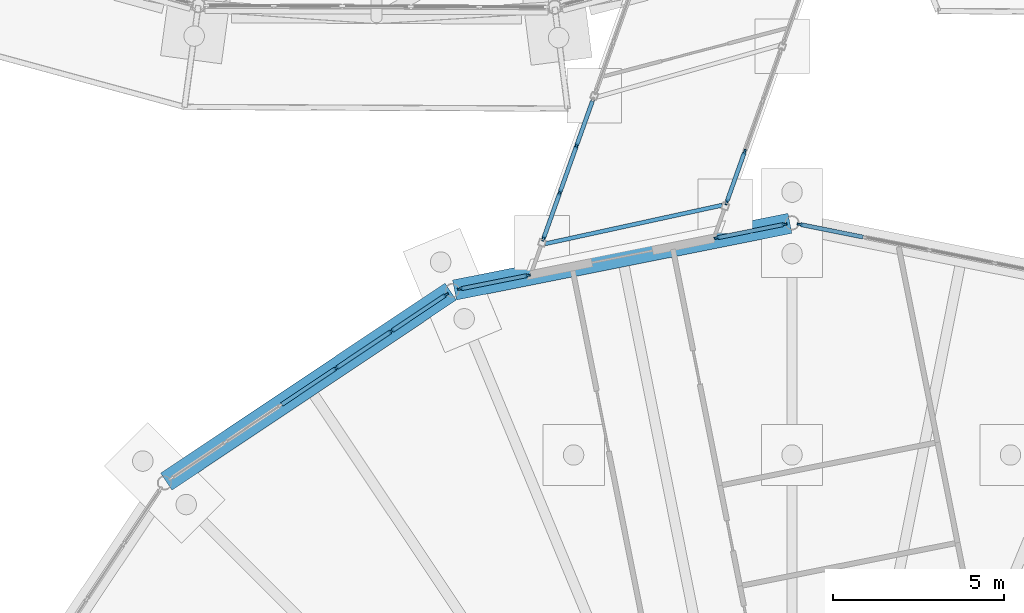
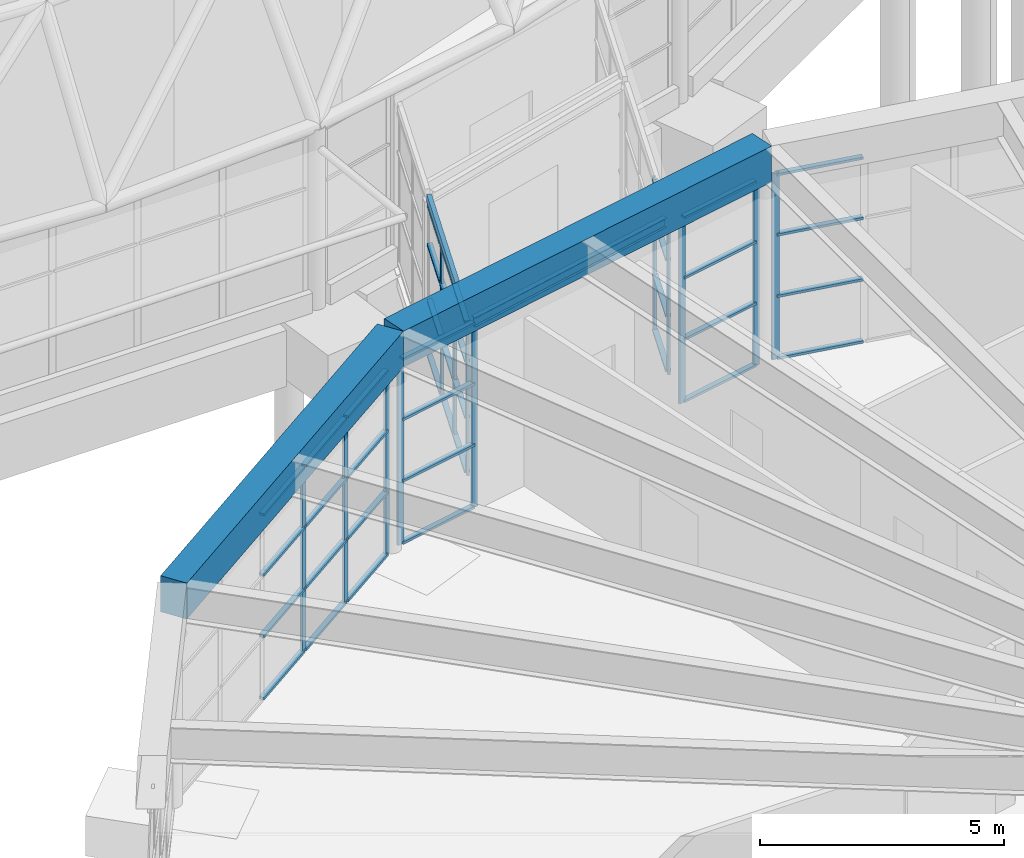
# One storey, part 95 of 226: 53 members, 4 beams, 6 elements without a shape of their own.
"""IFC4 building model written with IfcOpenShell, lengths in metres."""

from ifc_helpers import new_model, si_unit, direction, frame, origin, origin_2d, place, context, subcontext, project, spatial, rectangle, hollow_rectangle, i_section, extrude, material, material_profile, profile_set, type_object, element, aggregate, save


model = new_model("IFC4")

# Units and contexts
model_context = context("Model", 3, precision=1e-05, world=origin(), true_north=direction((0.0, 1.0)))
body_context = subcontext(model_context, "Body", "Model", "MODEL_VIEW")
ifc_project = project(units=[si_unit("LENGTHUNIT", "METRE"), si_unit("AREAUNIT", "SQUARE_METRE"), si_unit("VOLUMEUNIT", "CUBIC_METRE"), si_unit("PLANEANGLEUNIT", "RADIAN"), si_unit("MASSUNIT", "GRAM", prefix="KILO")], contexts=[model_context])

# Site, building, storey
site_placement = place(None, origin())
site = spatial("IfcSite", under=ifc_project, at=site_placement, CompositionType="ELEMENT")
building_placement = place(site_placement, origin())
building = spatial("IfcBuilding", under=site, at=building_placement, Name="Ceibo Conservatory and Research Tower", CompositionType="ELEMENT")
storey_placement = place(building_placement, origin())
storey = spatial("IfcBuildingStorey", under=building, at=storey_placement, Name="L00", CompositionType="ELEMENT", Elevation=0.0)

# Curtain wall, members
ifc_material_1 = material(Name="Aluminium and glass", Category="aluminium")
curtain_wall_type_1 = type_object("IfcCurtainWallType", Name="Gallery curtain wall", PredefinedType="NOTDEFINED", material=ifc_material_1)
curtain_wall_1_placement = place(storey_placement, origin())
curtain_wall_1 = element("IfcCurtainWall", 1, at=curtain_wall_1_placement, inside=storey, type_object=curtain_wall_type_1, Name="Gallery curtain wall A-VC-CWN02", PredefinedType="NOTDEFINED")
ifc_material_2 = material(Name="Aluminium", Category="aluminium")
ifc_material_profile_1 = material_profile(ifc_material_2, rectangle(XDim=0.06005859375, YDim=0.159912109375, at=origin_2d()), Name="AL 60x160")
ifc_profile_set_1 = profile_set([ifc_material_profile_1], Name="Aluminium")
member_type_1 = type_object("IfcMemberType", Name="Gallery mullion 60x160", PredefinedType="MULLION", material=ifc_profile_set_1)
member_1_placement = place(storey_placement, frame((166.6103515625, 64.0791015625, 0.0), z_axis=(0.0, 0.0, 1.0), x_axis=(0.942203896378, -0.335040023954, 0.0)))
member_1 = element("IfcMember", 2, at=member_1_placement, type_object=member_type_1, Name="A-VC-CWN02 mullion 3", PredefinedType="MULLION", context=body_context, shape_type="SweptSolid", body=[
    extrude(rectangle(XDim=0.06005859375, YDim=0.159912109375, at=origin_2d()), origin(), (0.0, 0.0, 1.0), 3.800048828125),
])
member_2_placement = place(storey_placement, frame((166.087646484375, 62.60888671875, 0.0), z_axis=(0.0, 0.0, 1.0), x_axis=(0.942203896378, -0.335040023954, 0.0)))
member_2 = element("IfcMember", 3, at=member_2_placement, type_object=member_type_1, Name="A-VC-CWN02 mullion 4", PredefinedType="MULLION", context=body_context, shape_type="SweptSolid", body=[
    extrude(rectangle(XDim=0.06005859375, YDim=0.159912109375, at=origin_2d()), origin(), (0.0, 0.0, 1.0), 3.800048828125),
])

curtain_wall_2_placement = place(storey_placement, origin())
curtain_wall_2 = element("IfcCurtainWall", 4, at=curtain_wall_2_placement, inside=storey, type_object=curtain_wall_type_1, Name="Gallery curtain wall A-VC-CWS02", PredefinedType="NOTDEFINED")
member_3_placement = place(storey_placement, frame((161.684814453125, 64.255615234375, 0.0), z_axis=(0.0, 0.0, 1.0), x_axis=(0.942203896378, -0.335040023954, 0.0)))
member_3 = element("IfcMember", 5, at=member_3_placement, type_object=member_type_1, Name="A-VC-CWS02 mullion 2", PredefinedType="MULLION", context=body_context, shape_type="SweptSolid", body=[
    extrude(rectangle(XDim=0.06005859375, YDim=0.159912109375, at=origin_2d()), origin(), (0.0, 0.0, 1.0), 3.800048828125),
])
member_4_placement = place(storey_placement, frame((161.197265625, 62.88427734375, 0.0), z_axis=(0.0, 0.0, 1.0), x_axis=(0.942203896378, -0.335040023954, 0.0)))
member_4 = element("IfcMember", 6, at=member_4_placement, type_object=member_type_1, Name="A-VC-CWS02 mullion 3", PredefinedType="MULLION", context=body_context, shape_type="SweptSolid", body=[
    extrude(rectangle(XDim=0.06005859375, YDim=0.159912109375, at=origin_2d()), origin(), (0.0, 0.0, 1.0), 3.800048828125),
])
member_5_placement = place(storey_placement, frame((160.7197265625, 61.541259765625, 0.0), z_axis=(0.0, 0.0, 1.0), x_axis=(0.942203896378, -0.335040023954, 0.0)))
member_5 = element("IfcMember", 7, at=member_5_placement, type_object=member_type_1, Name="A-VC-CWS02 mullion 4", PredefinedType="MULLION", context=body_context, shape_type="SweptSolid", body=[
    extrude(rectangle(XDim=0.06005859375, YDim=0.159912109375, at=origin_2d()), origin(), (0.0, 0.0, 1.0), 3.800048828125),
])

# Member
ifc_material_profile_2 = material_profile(ifc_material_2, rectangle(XDim=0.1201171875, YDim=0.06005859375, at=origin_2d()), Name="AL 60x120")
ifc_profile_set_2 = profile_set([ifc_material_profile_2], Name="Aluminium")
member_type_2 = type_object("IfcMemberType", Name="Gallery transom 60x120", PredefinedType="USERDEFINED", material=ifc_profile_set_2)
member_6_placement = place(storey_placement, frame((166.600341796875, 64.05078125, 0.030029296875), z_axis=(-0.335057822274, -0.94219756725, 0.0), x_axis=(0.94219756725, -0.335057822274, 0.0)))
member_6 = element("IfcMember", 8, at=member_6_placement, type_object=member_type_2, Name="A-VC-CWN02 transom 3.1", ObjectType="TRANSOM", PredefinedType="USERDEFINED", context=body_context, shape_type="SweptSolid", body=[
    extrude(rectangle(XDim=0.1201171875, YDim=0.06005859375, at=origin_2d()), origin(), (0.0, 0.0, 1.0), 1.500244140625),
])

member_7_placement = place(storey_placement, frame((166.600341796875, 64.05078125, 1.39990234375), z_axis=(-0.335057822274, -0.94219756725, 0.0), x_axis=(0.94219756725, -0.335057822274, 0.0)))
member_7 = element("IfcMember", 9, at=member_7_placement, type_object=member_type_2, Name="A-VC-CWN02 transom 3.2", ObjectType="TRANSOM", PredefinedType="USERDEFINED", context=body_context, shape_type="SweptSolid", body=[
    extrude(rectangle(XDim=0.1201171875, YDim=0.06005859375, at=origin_2d()), origin(), (0.0, 0.0, 1.0), 1.500244140625),
])

member_8_placement = place(storey_placement, frame((166.600341796875, 64.05078125, 2.800048828125), z_axis=(-0.335057822274, -0.94219756725, 0.0), x_axis=(0.94219756725, -0.335057822274, 0.0)))
member_8 = element("IfcMember", 10, at=member_8_placement, type_object=member_type_2, Name="A-VC-CWN02 transom 3.3", ObjectType="TRANSOM", PredefinedType="USERDEFINED", context=body_context, shape_type="SweptSolid", body=[
    extrude(rectangle(XDim=0.1201171875, YDim=0.06005859375, at=origin_2d()), origin(), (0.0, 0.0, 1.0), 1.500244140625),
])

member_9_placement = place(storey_placement, frame((166.600341796875, 64.05078125, 3.77001953125), z_axis=(-0.335057822274, -0.94219756725, 0.0), x_axis=(0.94219756725, -0.335057822274, 0.0)))
member_9 = element("IfcMember", 11, at=member_9_placement, type_object=member_type_2, Name="A-VC-CWN02 transom 3.4", ObjectType="TRANSOM", PredefinedType="USERDEFINED", context=body_context, shape_type="SweptSolid", body=[
    extrude(rectangle(XDim=0.1201171875, YDim=0.06005859375, at=origin_2d()), origin(), (0.0, 0.0, 1.0), 1.500244140625),
])

aggregate(curtain_wall_1, [member_1, member_2, member_6, member_7, member_8, member_9])

member_10_placement = place(storey_placement, frame((162.15234375, 65.5703125, 0.030029296875), z_axis=(-0.334942636148, -0.942238521018, 0.0), x_axis=(0.942238521018, -0.334942636148, 0.0)))
member_10 = element("IfcMember", 12, at=member_10_placement, type_object=member_type_2, Name="A-VC-CWS02 transom 1.1", ObjectType="TRANSOM", PredefinedType="USERDEFINED", context=body_context, shape_type="SweptSolid", body=[
    extrude(rectangle(XDim=0.1201171875, YDim=0.06005859375, at=origin_2d()), origin(), (0.0, 0.0, 1.0), 1.365234375),
])

member_11_placement = place(storey_placement, frame((162.15234375, 65.5703125, 1.39990234375), z_axis=(-0.334942636148, -0.942238521018, 0.0), x_axis=(0.942238521018, -0.334942636148, 0.0)))
member_11 = element("IfcMember", 13, at=member_11_placement, type_object=member_type_2, Name="A-VC-CWS02 transom 1.2", ObjectType="TRANSOM", PredefinedType="USERDEFINED", context=body_context, shape_type="SweptSolid", body=[
    extrude(rectangle(XDim=0.1201171875, YDim=0.06005859375, at=origin_2d()), origin(), (0.0, 0.0, 1.0), 1.365234375),
])

member_12_placement = place(storey_placement, frame((162.15234375, 65.5703125, 2.800048828125), z_axis=(-0.334942636148, -0.942238521018, 0.0), x_axis=(0.942238521018, -0.334942636148, 0.0)))
member_12 = element("IfcMember", 14, at=member_12_placement, type_object=member_type_2, Name="A-VC-CWS02 transom 1.3", ObjectType="TRANSOM", PredefinedType="USERDEFINED", context=body_context, shape_type="SweptSolid", body=[
    extrude(rectangle(XDim=0.1201171875, YDim=0.06005859375, at=origin_2d()), origin(), (0.0, 0.0, 1.0), 1.365234375),
])

member_13_placement = place(storey_placement, frame((162.15234375, 65.5703125, 3.77001953125), z_axis=(-0.334942636148, -0.942238521018, 0.0), x_axis=(0.942238521018, -0.334942636148, 0.0)))
member_13 = element("IfcMember", 15, at=member_13_placement, type_object=member_type_2, Name="A-VC-CWS02 transom 1.4", ObjectType="TRANSOM", PredefinedType="USERDEFINED", context=body_context, shape_type="SweptSolid", body=[
    extrude(rectangle(XDim=0.1201171875, YDim=0.06005859375, at=origin_2d()), origin(), (0.0, 0.0, 1.0), 1.365234375),
])

member_14_placement = place(storey_placement, frame((161.6748046875, 64.227294921875, 0.030029296875), z_axis=(-0.335061443825, -0.942196279372, 0.0), x_axis=(0.942196279372, -0.335061443825, 0.0)))
member_14 = element("IfcMember", 16, at=member_14_placement, type_object=member_type_2, Name="A-VC-CWS02 transom 2.1", ObjectType="TRANSOM", PredefinedType="USERDEFINED", context=body_context, shape_type="SweptSolid", body=[
    extrude(rectangle(XDim=0.1201171875, YDim=0.06005859375, at=origin_2d()), origin(), (0.0, 0.0, 1.0), 1.395263671875),
])

member_15_placement = place(storey_placement, frame((161.6748046875, 64.227294921875, 1.39990234375), z_axis=(-0.335061443825, -0.942196279372, 0.0), x_axis=(0.942196279372, -0.335061443825, 0.0)))
member_15 = element("IfcMember", 17, at=member_15_placement, type_object=member_type_2, Name="A-VC-CWS02 transom 2.2", ObjectType="TRANSOM", PredefinedType="USERDEFINED", context=body_context, shape_type="SweptSolid", body=[
    extrude(rectangle(XDim=0.1201171875, YDim=0.06005859375, at=origin_2d()), origin(), (0.0, 0.0, 1.0), 1.395263671875),
])

member_16_placement = place(storey_placement, frame((161.6748046875, 64.227294921875, 2.800048828125), z_axis=(-0.335061443825, -0.942196279372, 0.0), x_axis=(0.942196279372, -0.335061443825, 0.0)))
member_16 = element("IfcMember", 18, at=member_16_placement, type_object=member_type_2, Name="A-VC-CWS02 transom 2.3", ObjectType="TRANSOM", PredefinedType="USERDEFINED", context=body_context, shape_type="SweptSolid", body=[
    extrude(rectangle(XDim=0.1201171875, YDim=0.06005859375, at=origin_2d()), origin(), (0.0, 0.0, 1.0), 1.395263671875),
])

member_17_placement = place(storey_placement, frame((161.6748046875, 64.227294921875, 3.77001953125), z_axis=(-0.335061443825, -0.942196279372, 0.0), x_axis=(0.942196279372, -0.335061443825, 0.0)))
member_17 = element("IfcMember", 19, at=member_17_placement, type_object=member_type_2, Name="A-VC-CWS02 transom 2.4", ObjectType="TRANSOM", PredefinedType="USERDEFINED", context=body_context, shape_type="SweptSolid", body=[
    extrude(rectangle(XDim=0.1201171875, YDim=0.06005859375, at=origin_2d()), origin(), (0.0, 0.0, 1.0), 1.395263671875),
])

member_18_placement = place(storey_placement, frame((161.187255859375, 62.85595703125, 0.030029296875), z_axis=(-0.335101386737, -0.942182074021, 0.0), x_axis=(0.942182074021, -0.335101386737, 0.0)))
member_18 = element("IfcMember", 20, at=member_18_placement, type_object=member_type_2, Name="A-VC-CWS02 transom 3.1", ObjectType="TRANSOM", PredefinedType="USERDEFINED", context=body_context, shape_type="SweptSolid", body=[
    extrude(rectangle(XDim=0.1201171875, YDim=0.06005859375, at=origin_2d()), origin(), (0.0, 0.0, 1.0), 1.365234375),
])

member_19_placement = place(storey_placement, frame((161.187255859375, 62.85595703125, 1.39990234375), z_axis=(-0.335101386737, -0.942182074021, 0.0), x_axis=(0.942182074021, -0.335101386737, 0.0)))
member_19 = element("IfcMember", 21, at=member_19_placement, type_object=member_type_2, Name="A-VC-CWS02 transom 3.2", ObjectType="TRANSOM", PredefinedType="USERDEFINED", context=body_context, shape_type="SweptSolid", body=[
    extrude(rectangle(XDim=0.1201171875, YDim=0.06005859375, at=origin_2d()), origin(), (0.0, 0.0, 1.0), 1.365234375),
])

member_20_placement = place(storey_placement, frame((161.187255859375, 62.85595703125, 2.800048828125), z_axis=(-0.335101386737, -0.942182074021, 0.0), x_axis=(0.942182074021, -0.335101386737, 0.0)))
member_20 = element("IfcMember", 22, at=member_20_placement, type_object=member_type_2, Name="A-VC-CWS02 transom 3.3", ObjectType="TRANSOM", PredefinedType="USERDEFINED", context=body_context, shape_type="SweptSolid", body=[
    extrude(rectangle(XDim=0.1201171875, YDim=0.06005859375, at=origin_2d()), origin(), (0.0, 0.0, 1.0), 1.365234375),
])

member_21_placement = place(storey_placement, frame((161.187255859375, 62.85595703125, 3.77001953125), z_axis=(-0.335101386737, -0.942182074021, 0.0), x_axis=(0.942182074021, -0.335101386737, 0.0)))
member_21 = element("IfcMember", 23, at=member_21_placement, type_object=member_type_2, Name="A-VC-CWS02 transom 3.4", ObjectType="TRANSOM", PredefinedType="USERDEFINED", context=body_context, shape_type="SweptSolid", body=[
    extrude(rectangle(XDim=0.1201171875, YDim=0.06005859375, at=origin_2d()), origin(), (0.0, 0.0, 1.0), 1.365234375),
])

aggregate(curtain_wall_2, [member_3, member_4, member_5, member_10, member_11, member_12, member_13, member_14, member_15, member_16, member_17, member_18, member_19, member_20, member_21])

# Beam
ifc_material_3 = material(Name="Steel S355J2", Category="steel")
ifc_material_profile_3 = material_profile(ifc_material_3, i_section(OverallWidth=0.1201171875, OverallDepth=0.239990234375, WebThickness=0.006103515625, FlangeThickness=0.009765625, at=origin_2d()), Name="IPE 240")
ifc_profile_set_3 = profile_set([ifc_material_profile_3], Name="Steel S355J2")
beam_type_1 = type_object("IfcBeamType", Name="IPE 240 roof beam", PredefinedType="BEAM", material=ifc_profile_set_3)
beam_1_placement = place(storey_placement, frame((165.95458984375, 62.518310546875, 3.8798828125), z_axis=(-0.977046736243, -0.213025057672, 0.0), x_axis=(0.213025057672, -0.977046736243, 0.0)))
element("IfcBeam", 24, at=beam_1_placement, inside=storey, type_object=beam_type_1, Name="Gallery roof beam A-VC-RB02", PredefinedType="BEAM", context=body_context, shape_type="SweptSolid", body=[
    extrude(i_section(OverallWidth=0.1201171875, OverallDepth=0.239990234375, WebThickness=0.006103515625, FlangeThickness=0.009765625, at=origin_2d()), origin(), (0.0, 0.0, 1.0), 5.310791015625),
])

# Curtain wall, member
curtain_wall_type_2 = type_object("IfcCurtainWallType", Name="Pavilion curtain wall", PredefinedType="NOTDEFINED", material=ifc_material_1)
curtain_wall_3_placement = place(storey_placement, origin())
curtain_wall_3 = element("IfcCurtainWall", 25, at=curtain_wall_3_placement, inside=storey, type_object=curtain_wall_type_2, Name="Pavilion curtain wall VC-CW04", PredefinedType="NOTDEFINED")
ifc_material_profile_4 = material_profile(ifc_material_2, rectangle(XDim=0.06005859375, YDim=0.159912109375, at=origin_2d()), Name="AL 60x160")
ifc_profile_set_4 = profile_set([ifc_material_profile_4], Name="Aluminium")
member_type_3 = type_object("IfcMemberType", Name="Pavilion mullion 60x160", PredefinedType="MULLION", material=ifc_profile_set_4)
member_22_placement = place(storey_placement, frame((168.228759765625, 61.95458984375, 0.0), z_axis=(0.0, 0.0, 1.0), x_axis=(-0.195090311899, -0.980785282416, 0.0)))
member_22 = element("IfcMember", 26, at=member_22_placement, type_object=member_type_3, Name="VC-CW04 mullion 6", PredefinedType="MULLION", context=body_context, shape_type="SweptSolid", body=[
    extrude(rectangle(XDim=0.06005859375, YDim=0.159912109375, at=origin_2d()), origin(), (0.0, 0.0, 1.0), 4.64892578125),
])

# Curtain wall, members
curtain_wall_4_placement = place(storey_placement, origin())
curtain_wall_4 = element("IfcCurtainWall", 27, at=curtain_wall_4_placement, inside=storey, type_object=curtain_wall_type_2, Name="Pavilion curtain wall VC-CW05W", PredefinedType="NOTDEFINED")
member_23_placement = place(storey_placement, frame((167.771240234375, 61.95458984375, 0.0), z_axis=(0.0, 0.0, 1.0), x_axis=(0.195090311899, -0.980785282416, 0.0)))
member_23 = element("IfcMember", 28, at=member_23_placement, type_object=member_type_3, Name="VC-CW05W mullion 1", PredefinedType="MULLION", context=body_context, shape_type="SweptSolid", body=[
    extrude(rectangle(XDim=0.06005859375, YDim=0.159912109375, at=origin_2d()), origin(), (0.0, 0.0, 1.0), 4.64892578125),
])
member_24_placement = place(storey_placement, frame((165.795654296875, 61.5615234375, 0.0), z_axis=(0.0, 0.0, 1.0), x_axis=(0.195090311899, -0.980785282416, 0.0)))
member_24 = element("IfcMember", 29, at=member_24_placement, type_object=member_type_3, Name="VC-CW05W mullion 2", PredefinedType="MULLION", context=body_context, shape_type="SweptSolid", body=[
    extrude(rectangle(XDim=0.06005859375, YDim=0.159912109375, at=origin_2d()), origin(), (0.0, 0.0, 1.0), 4.64892578125),
])

curtain_wall_5_placement = place(storey_placement, origin())
curtain_wall_5 = element("IfcCurtainWall", 30, at=curtain_wall_5_placement, inside=storey, type_object=curtain_wall_type_2, Name="Pavilion curtain wall VC-CW05E", PredefinedType="NOTDEFINED")
member_25_placement = place(storey_placement, frame((160.254638671875, 60.459228515625, 0.0), z_axis=(0.0, 0.0, 1.0), x_axis=(0.195090311899, -0.980785282416, 0.0)))
member_25 = element("IfcMember", 31, at=member_25_placement, type_object=member_type_3, Name="VC-CW05E mullion 1", PredefinedType="MULLION", context=body_context, shape_type="SweptSolid", body=[
    extrude(rectangle(XDim=0.06005859375, YDim=0.159912109375, at=origin_2d()), origin(), (0.0, 0.0, 1.0), 4.64892578125),
])
member_26_placement = place(storey_placement, frame((158.279052734375, 60.06640625, 0.0), z_axis=(0.0, 0.0, 1.0), x_axis=(0.195090311899, -0.980785282416, 0.0)))
member_26 = element("IfcMember", 32, at=member_26_placement, type_object=member_type_3, Name="VC-CW05E mullion 2", PredefinedType="MULLION", context=body_context, shape_type="SweptSolid", body=[
    extrude(rectangle(XDim=0.06005859375, YDim=0.159912109375, at=origin_2d()), origin(), (0.0, 0.0, 1.0), 4.64892578125),
])

curtain_wall_6_placement = place(storey_placement, origin())
curtain_wall_6 = element("IfcCurtainWall", 33, at=curtain_wall_6_placement, inside=storey, type_object=curtain_wall_type_2, Name="Pavilion curtain wall VC-CW06", PredefinedType="NOTDEFINED")
member_27_placement = place(storey_placement, frame((157.8564453125, 59.891357421875, 0.0), z_axis=(0.0, 0.0, 1.0), x_axis=(0.555570267906, -0.831469588992, 0.0)))
member_27 = element("IfcMember", 34, at=member_27_placement, type_object=member_type_3, Name="VC-CW06 mullion 1", PredefinedType="MULLION", context=body_context, shape_type="SweptSolid", body=[
    extrude(rectangle(XDim=0.06005859375, YDim=0.159912109375, at=origin_2d()), origin(), (0.0, 0.0, 1.0), 4.64892578125),
])
member_28_placement = place(storey_placement, frame((156.261962890625, 58.825927734375, 0.0), z_axis=(0.0, 0.0, 1.0), x_axis=(0.555570267906, -0.831469588992, 0.0)))
member_28 = element("IfcMember", 35, at=member_28_placement, type_object=member_type_3, Name="VC-CW06 mullion 2", PredefinedType="MULLION", context=body_context, shape_type="SweptSolid", body=[
    extrude(rectangle(XDim=0.06005859375, YDim=0.159912109375, at=origin_2d()), origin(), (0.0, 0.0, 1.0), 4.64892578125),
])
member_29_placement = place(storey_placement, frame((154.642333984375, 57.743896484375, 0.0), z_axis=(0.0, 0.0, 1.0), x_axis=(0.555570267906, -0.831469588992, 0.0)))
member_29 = element("IfcMember", 36, at=member_29_placement, type_object=member_type_3, Name="VC-CW06 mullion 3", PredefinedType="MULLION", context=body_context, shape_type="SweptSolid", body=[
    extrude(rectangle(XDim=0.06005859375, YDim=0.159912109375, at=origin_2d()), origin(), (0.0, 0.0, 1.0), 4.64892578125),
])

# Member
ifc_material_profile_5 = material_profile(ifc_material_2, rectangle(XDim=0.1201171875, YDim=0.06005859375, at=origin_2d()), Name="AL 60x120")
ifc_profile_set_5 = profile_set([ifc_material_profile_5], Name="Aluminium")
member_type_4 = type_object("IfcMemberType", Name="Pavilion transom 60x120", PredefinedType="USERDEFINED", material=ifc_profile_set_5)
member_30_placement = place(storey_placement, frame((170.080078125, 61.586181640625, 0.030029296875), z_axis=(-0.980772277822, 0.195155679025, 0.0), x_axis=(-0.195155679025, -0.980772277822, 0.0)))
member_30 = element("IfcMember", 37, at=member_30_placement, type_object=member_type_4, Name="VC-CW04 transom 5.1", ObjectType="TRANSOM", PredefinedType="USERDEFINED", context=body_context, shape_type="SweptSolid", body=[
    extrude(rectangle(XDim=0.1201171875, YDim=0.06005859375, at=origin_2d()), origin(), (0.0, 0.0, 1.0), 1.857666015625),
])

member_31_placement = place(storey_placement, frame((170.080078125, 61.586181640625, 1.5810546875), z_axis=(-0.980772277822, 0.195155679025, 0.0), x_axis=(-0.195155679025, -0.980772277822, 0.0)))
member_31 = element("IfcMember", 38, at=member_31_placement, type_object=member_type_4, Name="VC-CW04 transom 5.2", ObjectType="TRANSOM", PredefinedType="USERDEFINED", context=body_context, shape_type="SweptSolid", body=[
    extrude(rectangle(XDim=0.1201171875, YDim=0.06005859375, at=origin_2d()), origin(), (0.0, 0.0, 1.0), 1.857666015625),
])

member_32_placement = place(storey_placement, frame((170.080078125, 61.586181640625, 3.114990234375), z_axis=(-0.980772277822, 0.195155679025, 0.0), x_axis=(-0.195155679025, -0.980772277822, 0.0)))
member_32 = element("IfcMember", 39, at=member_32_placement, type_object=member_type_4, Name="VC-CW04 transom 5.3", ObjectType="TRANSOM", PredefinedType="USERDEFINED", context=body_context, shape_type="SweptSolid", body=[
    extrude(rectangle(XDim=0.1201171875, YDim=0.06005859375, at=origin_2d()), origin(), (0.0, 0.0, 1.0), 1.857666015625),
])

member_33_placement = place(storey_placement, frame((170.080078125, 61.586181640625, 4.618896484375), z_axis=(-0.980772277822, 0.195155679025, 0.0), x_axis=(-0.195155679025, -0.980772277822, 0.0)))
member_33 = element("IfcMember", 40, at=member_33_placement, type_object=member_type_4, Name="VC-CW04 transom 5.4", ObjectType="TRANSOM", PredefinedType="USERDEFINED", context=body_context, shape_type="SweptSolid", body=[
    extrude(rectangle(XDim=0.1201171875, YDim=0.06005859375, at=origin_2d()), origin(), (0.0, 0.0, 1.0), 1.857666015625),
])

aggregate(curtain_wall_3, [member_22, member_30, member_31, member_32, member_33])

member_34_placement = place(storey_placement, frame((167.741943359375, 61.94873046875, 0.030029296875), z_axis=(-0.980781932046, -0.195107154592, 0.0), x_axis=(0.195107154592, -0.980781932046, 0.0)))
member_34 = element("IfcMember", 41, at=member_34_placement, type_object=member_type_4, Name="VC-CW05W transom 1.1", ObjectType="TRANSOM", PredefinedType="USERDEFINED", context=body_context, shape_type="SweptSolid", body=[
    extrude(rectangle(XDim=0.1201171875, YDim=0.06005859375, at=origin_2d()), origin(), (0.0, 0.0, 1.0), 1.95458984375),
])

member_35_placement = place(storey_placement, frame((167.741943359375, 61.94873046875, 1.5810546875), z_axis=(-0.980781932046, -0.195107154592, 0.0), x_axis=(0.195107154592, -0.980781932046, 0.0)))
member_35 = element("IfcMember", 42, at=member_35_placement, type_object=member_type_4, Name="VC-CW05W transom 1.2", ObjectType="TRANSOM", PredefinedType="USERDEFINED", context=body_context, shape_type="SweptSolid", body=[
    extrude(rectangle(XDim=0.1201171875, YDim=0.06005859375, at=origin_2d()), origin(), (0.0, 0.0, 1.0), 1.95458984375),
])

member_36_placement = place(storey_placement, frame((167.741943359375, 61.94873046875, 3.114990234375), z_axis=(-0.980781932046, -0.195107154592, 0.0), x_axis=(0.195107154592, -0.980781932046, 0.0)))
member_36 = element("IfcMember", 43, at=member_36_placement, type_object=member_type_4, Name="VC-CW05W transom 1.3", ObjectType="TRANSOM", PredefinedType="USERDEFINED", context=body_context, shape_type="SweptSolid", body=[
    extrude(rectangle(XDim=0.1201171875, YDim=0.06005859375, at=origin_2d()), origin(), (0.0, 0.0, 1.0), 1.95458984375),
])

member_37_placement = place(storey_placement, frame((167.741943359375, 61.94873046875, 4.618896484375), z_axis=(-0.980781932046, -0.195107154592, 0.0), x_axis=(0.195107154592, -0.980781932046, 0.0)))
member_37 = element("IfcMember", 44, at=member_37_placement, type_object=member_type_4, Name="VC-CW05W transom 1.4", ObjectType="TRANSOM", PredefinedType="USERDEFINED", context=body_context, shape_type="SweptSolid", body=[
    extrude(rectangle(XDim=0.1201171875, YDim=0.06005859375, at=origin_2d()), origin(), (0.0, 0.0, 1.0), 1.95458984375),
])

aggregate(curtain_wall_4, [member_23, member_24, member_34, member_35, member_36, member_37])

member_38_placement = place(storey_placement, frame((160.22509765625, 60.453369140625, 0.030029296875), z_axis=(-0.980801077462, -0.195010888029, 0.0), x_axis=(0.195010888029, -0.980801077462, 0.0)))
member_38 = element("IfcMember", 45, at=member_38_placement, type_object=member_type_4, Name="VC-CW05E transom 1.1", ObjectType="TRANSOM", PredefinedType="USERDEFINED", context=body_context, shape_type="SweptSolid", body=[
    extrude(rectangle(XDim=0.1201171875, YDim=0.06005859375, at=origin_2d()), origin(), (0.0, 0.0, 1.0), 1.954345703125),
])

member_39_placement = place(storey_placement, frame((160.22509765625, 60.453369140625, 1.5810546875), z_axis=(-0.980801077462, -0.195010888029, 0.0), x_axis=(0.195010888029, -0.980801077462, 0.0)))
member_39 = element("IfcMember", 46, at=member_39_placement, type_object=member_type_4, Name="VC-CW05E transom 1.2", ObjectType="TRANSOM", PredefinedType="USERDEFINED", context=body_context, shape_type="SweptSolid", body=[
    extrude(rectangle(XDim=0.1201171875, YDim=0.06005859375, at=origin_2d()), origin(), (0.0, 0.0, 1.0), 1.954345703125),
])

member_40_placement = place(storey_placement, frame((160.22509765625, 60.453369140625, 3.114990234375), z_axis=(-0.980801077462, -0.195010888029, 0.0), x_axis=(0.195010888029, -0.980801077462, 0.0)))
member_40 = element("IfcMember", 47, at=member_40_placement, type_object=member_type_4, Name="VC-CW05E transom 1.3", ObjectType="TRANSOM", PredefinedType="USERDEFINED", context=body_context, shape_type="SweptSolid", body=[
    extrude(rectangle(XDim=0.1201171875, YDim=0.06005859375, at=origin_2d()), origin(), (0.0, 0.0, 1.0), 1.954345703125),
])

member_41_placement = place(storey_placement, frame((160.22509765625, 60.453369140625, 4.618896484375), z_axis=(-0.980801077462, -0.195010888029, 0.0), x_axis=(0.195010888029, -0.980801077462, 0.0)))
member_41 = element("IfcMember", 48, at=member_41_placement, type_object=member_type_4, Name="VC-CW05E transom 1.4", ObjectType="TRANSOM", PredefinedType="USERDEFINED", context=body_context, shape_type="SweptSolid", body=[
    extrude(rectangle(XDim=0.1201171875, YDim=0.06005859375, at=origin_2d()), origin(), (0.0, 0.0, 1.0), 1.954345703125),
])

aggregate(curtain_wall_5, [member_25, member_26, member_38, member_39, member_40, member_41])

member_42_placement = place(storey_placement, frame((157.831298828125, 59.874755859375, 0.030029296875), z_axis=(-0.831402706574, -0.555670351469, 0.0), x_axis=(0.555670351469, -0.831402706574, 0.0)))
member_42 = element("IfcMember", 49, at=member_42_placement, type_object=member_type_4, Name="VC-CW06 transom 1.1", ObjectType="TRANSOM", PredefinedType="USERDEFINED", context=body_context, shape_type="SweptSolid", body=[
    extrude(rectangle(XDim=0.1201171875, YDim=0.06005859375, at=origin_2d()), origin(), (0.0, 0.0, 1.0), 1.857666015625),
])

member_43_placement = place(storey_placement, frame((157.831298828125, 59.874755859375, 1.5810546875), z_axis=(-0.831402706574, -0.555670351469, 0.0), x_axis=(0.555670351469, -0.831402706574, 0.0)))
member_43 = element("IfcMember", 50, at=member_43_placement, type_object=member_type_4, Name="VC-CW06 transom 1.2", ObjectType="TRANSOM", PredefinedType="USERDEFINED", context=body_context, shape_type="SweptSolid", body=[
    extrude(rectangle(XDim=0.1201171875, YDim=0.06005859375, at=origin_2d()), origin(), (0.0, 0.0, 1.0), 1.857666015625),
])

member_44_placement = place(storey_placement, frame((157.831298828125, 59.874755859375, 3.114990234375), z_axis=(-0.831402706574, -0.555670351469, 0.0), x_axis=(0.555670351469, -0.831402706574, 0.0)))
member_44 = element("IfcMember", 51, at=member_44_placement, type_object=member_type_4, Name="VC-CW06 transom 1.3", ObjectType="TRANSOM", PredefinedType="USERDEFINED", context=body_context, shape_type="SweptSolid", body=[
    extrude(rectangle(XDim=0.1201171875, YDim=0.06005859375, at=origin_2d()), origin(), (0.0, 0.0, 1.0), 1.857666015625),
])

member_45_placement = place(storey_placement, frame((157.831298828125, 59.874755859375, 4.618896484375), z_axis=(-0.831402706574, -0.555670351469, 0.0), x_axis=(0.555670351469, -0.831402706574, 0.0)))
member_45 = element("IfcMember", 52, at=member_45_placement, type_object=member_type_4, Name="VC-CW06 transom 1.4", ObjectType="TRANSOM", PredefinedType="USERDEFINED", context=body_context, shape_type="SweptSolid", body=[
    extrude(rectangle(XDim=0.1201171875, YDim=0.06005859375, at=origin_2d()), origin(), (0.0, 0.0, 1.0), 1.857666015625),
])

member_46_placement = place(storey_placement, frame((156.23681640625, 58.809326171875, 0.030029296875), z_axis=(-0.831412983501, -0.555654974661, 0.0), x_axis=(0.555654974661, -0.831412983501, 0.0)))
member_46 = element("IfcMember", 53, at=member_46_placement, type_object=member_type_4, Name="VC-CW06 transom 2.1", ObjectType="TRANSOM", PredefinedType="USERDEFINED", context=body_context, shape_type="SweptSolid", body=[
    extrude(rectangle(XDim=0.1201171875, YDim=0.06005859375, at=origin_2d()), origin(), (0.0, 0.0, 1.0), 1.887451171875),
])

member_47_placement = place(storey_placement, frame((156.23681640625, 58.809326171875, 1.5810546875), z_axis=(-0.831412983501, -0.555654974661, 0.0), x_axis=(0.555654974661, -0.831412983501, 0.0)))
member_47 = element("IfcMember", 54, at=member_47_placement, type_object=member_type_4, Name="VC-CW06 transom 2.2", ObjectType="TRANSOM", PredefinedType="USERDEFINED", context=body_context, shape_type="SweptSolid", body=[
    extrude(rectangle(XDim=0.1201171875, YDim=0.06005859375, at=origin_2d()), origin(), (0.0, 0.0, 1.0), 1.887451171875),
])

member_48_placement = place(storey_placement, frame((156.23681640625, 58.809326171875, 3.114990234375), z_axis=(-0.831412983501, -0.555654974661, 0.0), x_axis=(0.555654974661, -0.831412983501, 0.0)))
member_48 = element("IfcMember", 55, at=member_48_placement, type_object=member_type_4, Name="VC-CW06 transom 2.3", ObjectType="TRANSOM", PredefinedType="USERDEFINED", context=body_context, shape_type="SweptSolid", body=[
    extrude(rectangle(XDim=0.1201171875, YDim=0.06005859375, at=origin_2d()), origin(), (0.0, 0.0, 1.0), 1.887451171875),
])

member_49_placement = place(storey_placement, frame((156.23681640625, 58.809326171875, 4.618896484375), z_axis=(-0.831412983501, -0.555654974661, 0.0), x_axis=(0.555654974661, -0.831412983501, 0.0)))
member_49 = element("IfcMember", 56, at=member_49_placement, type_object=member_type_4, Name="VC-CW06 transom 2.4", ObjectType="TRANSOM", PredefinedType="USERDEFINED", context=body_context, shape_type="SweptSolid", body=[
    extrude(rectangle(XDim=0.1201171875, YDim=0.06005859375, at=origin_2d()), origin(), (0.0, 0.0, 1.0), 1.887451171875),
])

member_50_placement = place(storey_placement, frame((154.617431640625, 57.727294921875, 0.030029296875), z_axis=(-0.831452911845, -0.555595226207, 0.0), x_axis=(0.555595226207, -0.831452911845, 0.0)))
member_50 = element("IfcMember", 57, at=member_50_placement, type_object=member_type_4, Name="VC-CW06 transom 3.1", ObjectType="TRANSOM", PredefinedType="USERDEFINED", context=body_context, shape_type="SweptSolid", body=[
    extrude(rectangle(XDim=0.1201171875, YDim=0.06005859375, at=origin_2d()), origin(), (0.0, 0.0, 1.0), 1.8876953125),
])

member_51_placement = place(storey_placement, frame((154.617431640625, 57.727294921875, 1.5810546875), z_axis=(-0.831452911845, -0.555595226207, 0.0), x_axis=(0.555595226207, -0.831452911845, 0.0)))
member_51 = element("IfcMember", 58, at=member_51_placement, type_object=member_type_4, Name="VC-CW06 transom 3.2", ObjectType="TRANSOM", PredefinedType="USERDEFINED", context=body_context, shape_type="SweptSolid", body=[
    extrude(rectangle(XDim=0.1201171875, YDim=0.06005859375, at=origin_2d()), origin(), (0.0, 0.0, 1.0), 1.8876953125),
])

member_52_placement = place(storey_placement, frame((154.617431640625, 57.727294921875, 3.114990234375), z_axis=(-0.831452911845, -0.555595226207, 0.0), x_axis=(0.555595226207, -0.831452911845, 0.0)))
member_52 = element("IfcMember", 59, at=member_52_placement, type_object=member_type_4, Name="VC-CW06 transom 3.3", ObjectType="TRANSOM", PredefinedType="USERDEFINED", context=body_context, shape_type="SweptSolid", body=[
    extrude(rectangle(XDim=0.1201171875, YDim=0.06005859375, at=origin_2d()), origin(), (0.0, 0.0, 1.0), 1.8876953125),
])

member_53_placement = place(storey_placement, frame((154.617431640625, 57.727294921875, 4.618896484375), z_axis=(-0.831452911845, -0.555595226207, 0.0), x_axis=(0.555595226207, -0.831452911845, 0.0)))
member_53 = element("IfcMember", 60, at=member_53_placement, type_object=member_type_4, Name="VC-CW06 transom 3.4", ObjectType="TRANSOM", PredefinedType="USERDEFINED", context=body_context, shape_type="SweptSolid", body=[
    extrude(rectangle(XDim=0.1201171875, YDim=0.06005859375, at=origin_2d()), origin(), (0.0, 0.0, 1.0), 1.8876953125),
])

aggregate(curtain_wall_6, [member_27, member_28, member_29, member_42, member_43, member_44, member_45, member_46, member_47, member_48, member_49, member_50, member_51, member_52, member_53])

# Beams
ifc_material_4 = material(Name="Concrete C35/45", Category="concrete")
ifc_material_profile_6 = material_profile(ifc_material_4, rectangle(XDim=0.60009765625, YDim=0.89990234375, at=origin_2d()), Name="RC 600x900")
ifc_profile_set_6 = profile_set([ifc_material_profile_6], Name="Concrete C35/45")
beam_type_2 = type_object("IfcBeamType", Name="RC ring beam 600x900", PredefinedType="BEAM", material=ifc_profile_set_6)
beam_2_placement = place(storey_placement, frame((167.939453125, 61.988037109375, 5.09912109375), z_axis=(-0.980784413745, -0.195094678952, 0.0), x_axis=(0.195094678952, -0.980784413745, 0.0)))
element("IfcBeam", 61, at=beam_2_placement, inside=storey, type_object=beam_type_2, Name="Pavilion ring beam VC-RB05", PredefinedType="BEAM", context=body_context, shape_type="SweptSolid", body=[
    extrude(rectangle(XDim=0.60009765625, YDim=0.89990234375, at=origin_2d()), origin(), (0.0, 0.0, 1.0), 10.021240234375),
])
beam_3_placement = place(storey_placement, frame((157.9990234375, 59.986572265625, 5.09912109375), z_axis=(-0.831468902331, -0.555571295566, 0.0), x_axis=(0.555571295566, -0.831468902331, 0.0)))
element("IfcBeam", 62, at=beam_3_placement, inside=storey, type_object=beam_type_2, Name="Pavilion ring beam VC-RB06", PredefinedType="BEAM", context=body_context, shape_type="SweptSolid", body=[
    extrude(rectangle(XDim=0.60009765625, YDim=0.89990234375, at=origin_2d()), origin(), (0.0, 0.0, 1.0), 10.021484375),
])
ifc_material_5 = material(Name="Steel S355J2H", Category="steel")
ifc_material_profile_7 = material_profile(ifc_material_5, hollow_rectangle(XDim=0.10009765625, YDim=0.199951171875, WallThickness=0.008056640625, at=origin_2d()), Name="RHS 200x100x8 edge beam")
ifc_profile_set_7 = profile_set([ifc_material_profile_7], Name="Steel S355J2H")
beam_type_3 = type_object("IfcBeamType", Name="RHS 200x100x8 edge beam", PredefinedType="BEAM", material=ifc_profile_set_7)
beam_4_placement = place(storey_placement, frame((162.17431640625, 65.631591796875, 3.89990234375), z_axis=(-0.33506029423, -0.942196688187, 0.0), x_axis=(0.942196688187, -0.33506029423, 0.0)))
element("IfcBeam", 63, at=beam_4_placement, inside=storey, type_object=beam_type_3, Name="Gallery edge beam A-VC-EBS02", PredefinedType="BEAM", context=body_context, shape_type="SweptSolid", body=[
    extrude(hollow_rectangle(XDim=0.10009765625, YDim=0.199951171875, WallThickness=0.008056640625, at=origin_2d()), origin(), (0.0, 0.0, 1.0), 4.376220703125),
])

save(model, "model.ifc")
